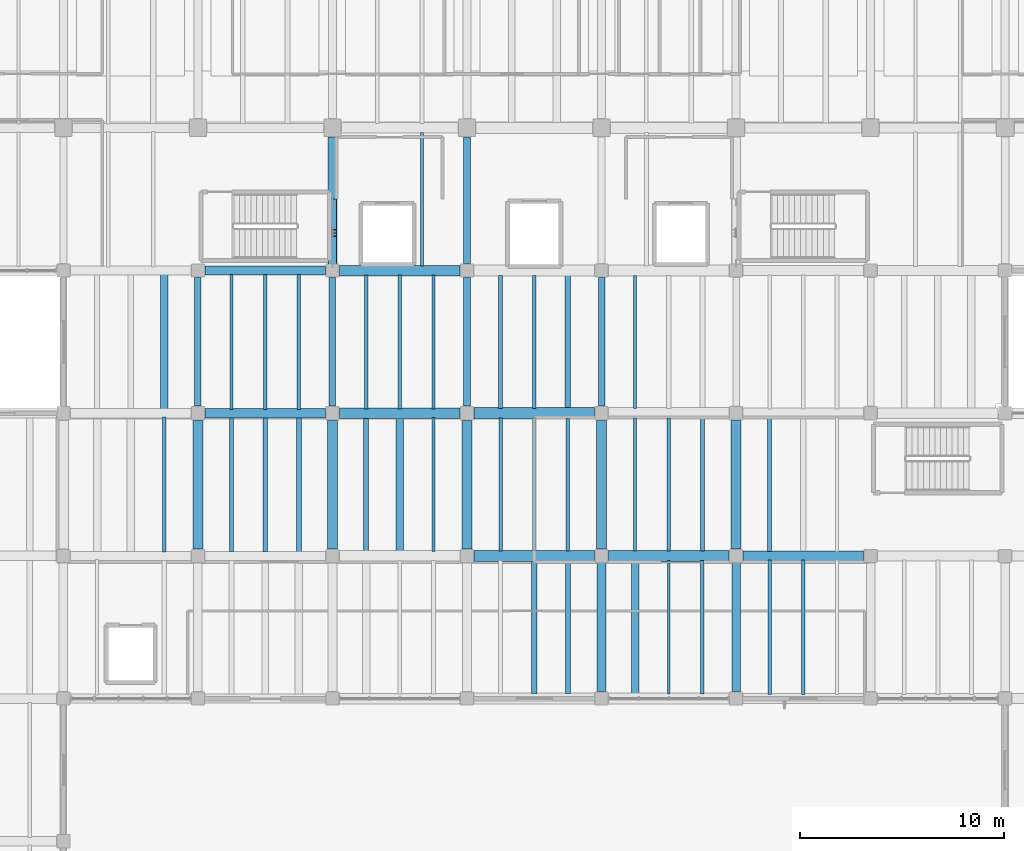
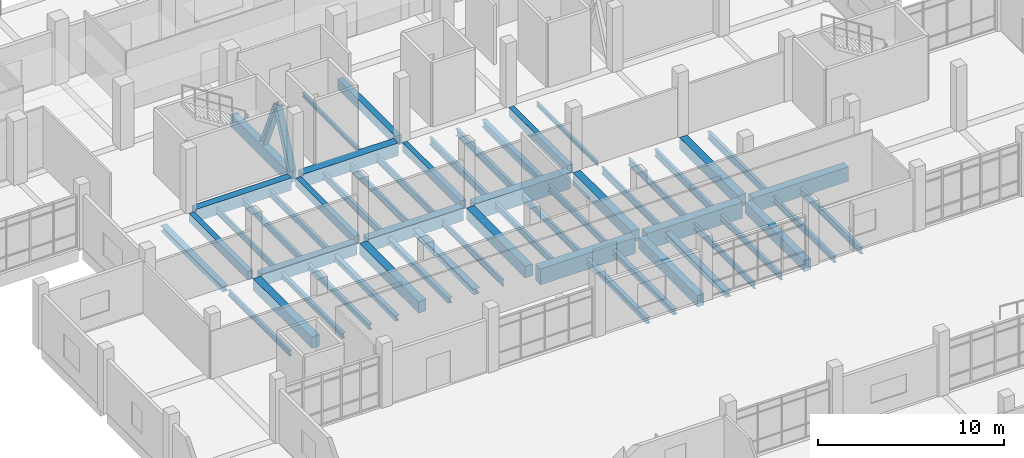
# One storey, part 25 of 69: 54 beams, 2 members.
"""IFC4 building model written with IfcOpenShell, lengths in metres."""

from ifc_helpers import new_model, si_unit, direction, frame, origin, origin_2d, place, context, subcontext, project, spatial, rectangle, i_section, extrude, material, material_profile, profile_set, type_object, element, save


model = new_model("IFC4")

# Units and contexts
model_context = context("Model", 3, precision=1e-05, world=origin(), true_north=direction((0.0, 1.0)))
body_context = subcontext(model_context, "Body", "Model", "MODEL_VIEW")
ifc_project = project(units=[si_unit("LENGTHUNIT", "METRE"), si_unit("AREAUNIT", "SQUARE_METRE"), si_unit("VOLUMEUNIT", "CUBIC_METRE"), si_unit("PLANEANGLEUNIT", "RADIAN"), si_unit("MASSUNIT", "GRAM", prefix="KILO")], contexts=[model_context])

# Site, building, storey
site_placement = place(None, origin())
site = spatial("IfcSite", under=ifc_project, at=site_placement, CompositionType="ELEMENT")
building_placement = place(site_placement, origin())
building = spatial("IfcBuilding", under=site, at=building_placement, Name="Ciguamira Faculty of Natural Sciences", CompositionType="ELEMENT")
storey_placement = place(building_placement, origin())
storey = spatial("IfcBuildingStorey", under=building, at=storey_placement, Name="L00", CompositionType="ELEMENT", Elevation=0.0)

# Beams
ifc_material_1 = material(Name="Concrete C40/50", Category="concrete")
ifc_material_profile_1 = material_profile(ifc_material_1, rectangle(XDim=0.550048828125, YDim=1.050048828125, at=origin_2d()), Name="RC-BM-550X1050")
ifc_profile_set_1 = profile_set([ifc_material_profile_1], Name="Concrete C40/50")
beam_type_1 = type_object("IfcBeamType", Name="RCBeam_BG-01_RC-BM-550X1050", PredefinedType="BEAM", material=ifc_profile_set_1)
beam_1_placement = place(storey_placement, frame((84.050048828125, 80.0, -0.52490234375), z_axis=(1.0, 0.0, 0.0), x_axis=(0.0, 1.0, 0.0)))
element("IfcBeam", 1, at=beam_1_placement, inside=storey, type_object=beam_type_1, Name="L00 RC girder EW-0142", PredefinedType="BEAM", context=body_context, shape_type="SweptSolid", body=[
    extrude(rectangle(XDim=0.550048828125, YDim=1.050048828125, at=origin_2d()), origin(), (0.0, 0.0, 1.0), 5.89990234375),
])
beam_2_placement = place(storey_placement, frame((90.64990234375, 80.0, -0.52490234375), z_axis=(1.0, 0.0, 0.0), x_axis=(0.0, 1.0, 0.0)))
element("IfcBeam", 2, at=beam_2_placement, inside=storey, type_object=beam_type_1, Name="L00 RC girder EW-0143", PredefinedType="BEAM", context=body_context, shape_type="SweptSolid", body=[
    extrude(rectangle(XDim=0.550048828125, YDim=1.050048828125, at=origin_2d()), origin(), (0.0, 0.0, 1.0), 5.900146484375),
])
beam_3_placement = place(storey_placement, frame((84.050048828125, 87.0, -0.52490234375), z_axis=(1.0, 0.0, 0.0), x_axis=(0.0, 1.0, 0.0)))
element("IfcBeam", 3, at=beam_3_placement, inside=storey, type_object=beam_type_1, Name="L00 RC girder EW-0151", PredefinedType="BEAM", context=body_context, shape_type="SweptSolid", body=[
    extrude(rectangle(XDim=0.550048828125, YDim=1.050048828125, at=origin_2d()), origin(), (0.0, 0.0, 1.0), 5.89990234375),
])
ifc_material_profile_2 = material_profile(ifc_material_1, rectangle(XDim=0.5, YDim=0.949951171875, at=origin_2d()), Name="RC-BM-500X950")
ifc_profile_set_2 = profile_set([ifc_material_profile_2], Name="Concrete C40/50")
beam_type_2 = type_object("IfcBeamType", Name="RCBeam_BG-02_RC-BM-500X950", PredefinedType="BEAM", material=ifc_profile_set_2)
beam_4_placement = place(storey_placement, frame((97.25, 80.0, -0.47509765625), z_axis=(1.0, 0.0, 0.0), x_axis=(0.0, 1.0, 0.0)))
element("IfcBeam", 4, at=beam_4_placement, inside=storey, type_object=beam_type_2, Name="L00 RC girder EW-0144", PredefinedType="BEAM", context=body_context, shape_type="SweptSolid", body=[
    extrude(rectangle(XDim=0.5, YDim=0.949951171875, at=origin_2d()), origin(), (0.0, 0.0, 1.0), 5.89990234375),
])
ifc_material_profile_3 = material_profile(ifc_material_1, rectangle(XDim=0.449951171875, YDim=0.800048828125, at=origin_2d()), Name="RC-BM-450X800")
ifc_profile_set_3 = profile_set([ifc_material_profile_3], Name="Concrete C40/50")
beam_type_3 = type_object("IfcBeamType", Name="RCBeam_BG-05_RC-BM-450X800", PredefinedType="BEAM", material=ifc_profile_set_3)
for number, where, z_axis, x_axis, name in (
    (5, (70.85009765625, 87.0, -0.39990234375), (1.0, 0.0, 0.0), (0.0, 1.0, 0.0), "L00 RC girder EW-0149"),
    (6, (70.85009765625, 94.0, -0.39990234375), (1.0, 0.0, 0.0), (0.0, 1.0, 0.0), "L00 RC girder EW-0158"),
):
    element("IfcBeam", number, at=place(storey_placement, frame(where, z_axis=z_axis, x_axis=x_axis)), inside=storey, type_object=beam_type_3, Name=name, PredefinedType="BEAM", context=body_context, shape_type="SweptSolid", body=[
        extrude(rectangle(XDim=0.449951171875, YDim=0.800048828125, at=origin_2d()), origin(), (0.0, 0.0, 1.0), 5.89990234375),
    ])
ifc_material_profile_4 = material_profile(ifc_material_1, rectangle(XDim=0.43994140625, YDim=0.780029296875, at=origin_2d()), Name="RC-BM-440X780")
ifc_profile_set_4 = profile_set([ifc_material_profile_4], Name="Concrete C40/50")
beam_type_4 = type_object("IfcBeamType", Name="RCBeam_BG-06_RC-BM-440X780", PredefinedType="BEAM", material=ifc_profile_set_4)
beam_5_placement = place(storey_placement, frame((77.10009765625, 94.35009765625, -0.389892578125), z_axis=(0.0, 1.0, 0.0), x_axis=(-1.0, 0.0, 0.0)))
element("IfcBeam", 7, at=beam_5_placement, inside=storey, type_object=beam_type_4, Name="L00 core-end brace tie girder 77", PredefinedType="BEAM", context=body_context, shape_type="SweptSolid", body=[
    extrude(rectangle(XDim=0.43994140625, YDim=0.780029296875, at=origin_2d()), origin(), (0.0, 0.0, 1.0), 6.199951171875),
])
ifc_material_profile_5 = material_profile(ifc_material_1, rectangle(XDim=0.419921875, YDim=0.739990234375, at=origin_2d()), Name="RC-BM-420X740")
ifc_profile_set_5 = profile_set([ifc_material_profile_5], Name="Concrete C40/50")
beam_type_5 = type_object("IfcBeamType", Name="RCBeam_BG-07_RC-BM-420X740", PredefinedType="BEAM", material=ifc_profile_set_5)
for number, where, z_axis, x_axis, name in (
    (8, (90.300048828125, 73.35009765625, -0.3701171875), (0.0, 1.0, 0.0), (-1.0, 0.0, 0.0), "L00 girder NS-0283"),
    (9, (96.89990234375, 73.35009765625, -0.3701171875), (0.0, 1.0, 0.0), (-1.0, 0.0, 0.0), "L00 girder NS-0295"),
):
    element("IfcBeam", number, at=place(storey_placement, frame(where, z_axis=z_axis, x_axis=x_axis)), inside=storey, type_object=beam_type_5, Name=name, PredefinedType="BEAM", context=body_context, shape_type="SweptSolid", body=[
        extrude(rectangle(XDim=0.419921875, YDim=0.739990234375, at=origin_2d()), origin(), (0.0, 0.0, 1.0), 6.2998046875),
    ])
ifc_material_profile_6 = material_profile(ifc_material_1, rectangle(XDim=0.360107421875, YDim=0.639892578125, at=origin_2d()), Name="RC-BM-360X640")
ifc_profile_set_6 = profile_set([ifc_material_profile_6], Name="Concrete C40/50")
beam_type_6 = type_object("IfcBeamType", Name="RCBeam_BG-10_RC-BM-360X640", PredefinedType="BEAM", material=ifc_profile_set_6)
beam_6_placement = place(storey_placement, frame((83.699951171875, 94.35009765625, -0.320068359375), z_axis=(0.0, 1.0, 0.0), x_axis=(-1.0, 0.0, 0.0)))
element("IfcBeam", 10, at=beam_6_placement, inside=storey, type_object=beam_type_6, Name="L00 girder NS-0274", PredefinedType="BEAM", context=body_context, shape_type="SweptSolid", body=[
    extrude(rectangle(XDim=0.360107421875, YDim=0.639892578125, at=origin_2d()), origin(), (0.0, 0.0, 1.0), 6.199951171875),
])
ifc_material_profile_7 = material_profile(ifc_material_1, rectangle(XDim=0.320068359375, YDim=0.56005859375, at=origin_2d()), Name="RC-BM-320X560")
ifc_profile_set_7 = profile_set([ifc_material_profile_7], Name="Concrete C40/50")
beam_type_7 = type_object("IfcBeamType", Name="RCBeam_BG-12_RC-BM-320X560", PredefinedType="BEAM", material=ifc_profile_set_7)
for number, where, z_axis, x_axis, name in (
    (11, (70.5, 87.35009765625, -0.280029296875), (0.0, 1.0, 0.0), (-1.0, 0.0, 0.0), "L00 girder NS-0251"),
    (12, (77.10009765625, 87.35009765625, -0.280029296875), (0.0, 1.0, 0.0), (-1.0, 0.0, 0.0), "L00 girder NS-0262"),
    (13, (83.699951171875, 87.35009765625, -0.280029296875), (0.0, 1.0, 0.0), (-1.0, 0.0, 0.0), "L00 girder NS-0273"),
    (14, (90.300048828125, 87.35009765625, -0.280029296875), (0.0, 1.0, 0.0), (-1.0, 0.0, 0.0), "L00 girder NS-0285"),
):
    element("IfcBeam", number, at=place(storey_placement, frame(where, z_axis=z_axis, x_axis=x_axis)), inside=storey, type_object=beam_type_7, Name=name, PredefinedType="BEAM", context=body_context, shape_type="SweptSolid", body=[
        extrude(rectangle(XDim=0.320068359375, YDim=0.56005859375, at=origin_2d()), origin(), (0.0, 0.0, 1.0), 6.2998046875),
    ])
ifc_material_profile_8 = material_profile(ifc_material_1, rectangle(XDim=0.47998046875, YDim=0.760009765625, at=origin_2d()), Name="RC-TB-480X760")
ifc_profile_set_8 = profile_set([ifc_material_profile_8], Name="Concrete C40/50")
beam_type_8 = type_object("IfcBeamType", Name="RCBeam_TB-01_RC-TB-480X760", PredefinedType="T_BEAM", material=ifc_profile_set_8)
for number, where, z_axis, x_axis, name in (
    (15, (70.5, 80.35009765625, -0.3798828125), (0.0, 1.0, 0.0), (-1.0, 0.0, 0.0), "L00 girder NS-0250"),
    (16, (77.10009765625, 80.35009765625, -0.3798828125), (0.0, 1.0, 0.0), (-1.0, 0.0, 0.0), "L00 girder NS-0261"),
    (17, (83.699951171875, 80.35009765625, -0.3798828125), (0.0, 1.0, 0.0), (-1.0, 0.0, 0.0), "L00 girder NS-0272"),
    (18, (90.300048828125, 80.35009765625, -0.3798828125), (0.0, 1.0, 0.0), (-1.0, 0.0, 0.0), "L00 girder NS-0284"),
    (19, (96.89990234375, 80.35009765625, -0.3798828125), (0.0, 1.0, 0.0), (-1.0, 0.0, 0.0), "L00 girder NS-0296"),
):
    element("IfcBeam", number, at=place(storey_placement, frame(where, z_axis=z_axis, x_axis=x_axis)), inside=storey, type_object=beam_type_8, Name=name, PredefinedType="T_BEAM", context=body_context, shape_type="SweptSolid", body=[
        extrude(rectangle(XDim=0.47998046875, YDim=0.760009765625, at=origin_2d()), origin(), (0.0, 0.0, 1.0), 6.2998046875),
    ])
ifc_material_profile_9 = material_profile(ifc_material_1, rectangle(XDim=0.52001953125, YDim=0.840087890625, at=origin_2d()), Name="RC-TB-520X840")
ifc_profile_set_9 = profile_set([ifc_material_profile_9], Name="Concrete C40/50")
beam_type_9 = type_object("IfcBeamType", Name="RCBeam_TB-02_RC-TB-520X840", PredefinedType="T_BEAM", material=ifc_profile_set_9)
for number, where, z_axis, x_axis, name in (
    (20, (77.449951171875, 87.0, -0.419921875), (1.0, 0.0, 0.0), (0.0, 1.0, 0.0), "L00 RC girder EW-0150"),
    (21, (77.449951171875, 94.0, -0.419921875), (1.0, 0.0, 0.0), (0.0, 1.0, 0.0), "L00 RC girder EW-0159"),
):
    element("IfcBeam", number, at=place(storey_placement, frame(where, z_axis=z_axis, x_axis=x_axis)), inside=storey, type_object=beam_type_9, Name=name, PredefinedType="T_BEAM", context=body_context, shape_type="SweptSolid", body=[
        extrude(rectangle(XDim=0.52001953125, YDim=0.840087890625, at=origin_2d()), origin(), (0.0, 0.0, 1.0), 5.900146484375),
    ])
ifc_material_2 = material(Name="Steel ASTM A992 Grade 50", Category="steel")
ifc_material_profile_10 = material_profile(ifc_material_2, i_section(OverallWidth=0.14599609375, OverallDepth=0.259033203125, WebThickness=0.006103515625, FlangeThickness=0.009033203125, at=origin_2d()), Name="W10X22")
ifc_profile_set_10 = profile_set([ifc_material_profile_10], Name="Steel ASTM A992 Grade 50")
beam_type_10 = type_object("IfcBeamType", Name="SteelJoist_SJ-01_W10X22", PredefinedType="JOIST", material=ifc_profile_set_10)
beam_7_placement = place(storey_placement, frame((81.5, 94.219970703125, -0.429443359375), z_axis=(0.0, 1.0, 0.0), x_axis=(-1.0, 0.0, 0.0)))
element("IfcBeam", 22, at=beam_7_placement, inside=storey, type_object=beam_type_10, Name="L00 composite steel joist 00167", PredefinedType="JOIST", context=body_context, shape_type="SweptSolid", body=[
    extrude(i_section(OverallWidth=0.14599609375, OverallDepth=0.259033203125, WebThickness=0.006103515625, FlangeThickness=0.009033203125, at=origin_2d()), origin(), (0.0, 0.0, 1.0), 6.56005859375),
])
beam_8_placement = place(storey_placement, frame((91.949951171875, 87.235107421875, -0.429443359375), z_axis=(0.0, 1.0, 0.0), x_axis=(-1.0, 0.0, 0.0)))
element("IfcBeam", 23, at=beam_8_placement, inside=storey, type_object=beam_type_10, Name="L00 composite steel joist 00215", PredefinedType="JOIST", context=body_context, shape_type="SweptSolid", body=[
    extrude(i_section(OverallWidth=0.14599609375, OverallDepth=0.259033203125, WebThickness=0.006103515625, FlangeThickness=0.009033203125, at=origin_2d()), origin(), (0.0, 0.0, 1.0), 6.52978515625),
])
ifc_material_profile_11 = material_profile(ifc_material_2, i_section(OverallWidth=0.1708984375, OverallDepth=0.3505859375, WebThickness=0.0068359375, FlangeThickness=0.009765625, at=origin_2d()), Name="W14X30")
ifc_profile_set_11 = profile_set([ifc_material_profile_11], Name="Steel ASTM A992 Grade 50")
beam_type_11 = type_object("IfcBeamType", Name="SteelJoist_SJ-11_W14X30", PredefinedType="JOIST", material=ifc_profile_set_11)
beam_9_placement = place(storey_placement, frame((68.85009765625, 80.18505859375, -0.475341796875), z_axis=(0.0, 1.0, 0.0), x_axis=(-1.0, 0.0, 0.0)))
element("IfcBeam", 24, at=beam_9_placement, inside=storey, type_object=beam_type_11, Name="L00 composite steel joist 00111", PredefinedType="JOIST", context=body_context, shape_type="SweptSolid", body=[
    extrude(i_section(OverallWidth=0.1708984375, OverallDepth=0.3505859375, WebThickness=0.0068359375, FlangeThickness=0.009765625, at=origin_2d()), origin(), (0.0, 0.0, 1.0), 6.6298828125),
])
ifc_material_profile_12 = material_profile(ifc_material_2, i_section(OverallWidth=0.203125, OverallDepth=0.347900390625, WebThickness=0.0078125, FlangeThickness=0.013427734375, at=origin_2d()), Name="W14X43")
ifc_profile_set_12 = profile_set([ifc_material_profile_12], Name="Steel ASTM A992 Grade 50")
beam_type_12 = type_object("IfcBeamType", Name="SteelJoist_SJ-12_W14X43", PredefinedType="JOIST", material=ifc_profile_set_12)
beam_10_placement = place(storey_placement, frame((72.14990234375, 80.18505859375, -0.47412109375), z_axis=(0.0, 1.0, 0.0), x_axis=(-1.0, 0.0, 0.0)))
element("IfcBeam", 25, at=beam_10_placement, inside=storey, type_object=beam_type_12, Name="L00 composite steel joist 00136", PredefinedType="JOIST", context=body_context, shape_type="SweptSolid", body=[
    extrude(i_section(OverallWidth=0.203125, OverallDepth=0.347900390625, WebThickness=0.0078125, FlangeThickness=0.013427734375, at=origin_2d()), origin(), (0.0, 0.0, 1.0), 6.6298828125),
])
ifc_material_profile_13 = material_profile(ifc_material_2, i_section(OverallWidth=0.204833984375, OverallDepth=0.35302734375, WebThickness=0.00927734375, FlangeThickness=0.016845703125, at=origin_2d()), Name="W14X53")
ifc_profile_set_13 = profile_set([ifc_material_profile_13], Name="Steel ASTM A992 Grade 50")
beam_type_13 = type_object("IfcBeamType", Name="SteelJoist_SJ-13_W14X53", PredefinedType="JOIST", material=ifc_profile_set_13)
beam_11_placement = place(storey_placement, frame((73.800048828125, 80.18505859375, -0.4765625), z_axis=(0.0, 1.0, 0.0), x_axis=(-1.0, 0.0, 0.0)))
element("IfcBeam", 26, at=beam_11_placement, inside=storey, type_object=beam_type_13, Name="L00 composite steel joist 00137", PredefinedType="JOIST", context=body_context, shape_type="SweptSolid", body=[
    extrude(i_section(OverallWidth=0.204833984375, OverallDepth=0.35302734375, WebThickness=0.00927734375, FlangeThickness=0.016845703125, at=origin_2d()), origin(), (0.0, 0.0, 1.0), 6.6298828125),
])
ifc_material_profile_14 = material_profile(ifc_material_2, i_section(OverallWidth=0.25390625, OverallDepth=0.355712890625, WebThickness=0.010498046875, FlangeThickness=0.018310546875, at=origin_2d()), Name="W14X68")
ifc_profile_set_14 = profile_set([ifc_material_profile_14], Name="Steel ASTM A992 Grade 50")
beam_type_14 = type_object("IfcBeamType", Name="SteelJoist_SJ-14_W14X68", PredefinedType="JOIST", material=ifc_profile_set_14)
beam_12_placement = place(storey_placement, frame((75.449951171875, 80.18505859375, -0.477783203125), z_axis=(0.0, 1.0, 0.0), x_axis=(-1.0, 0.0, 0.0)))
element("IfcBeam", 27, at=beam_12_placement, inside=storey, type_object=beam_type_14, Name="L00 composite steel joist 00138", PredefinedType="JOIST", context=body_context, shape_type="SweptSolid", body=[
    extrude(i_section(OverallWidth=0.25390625, OverallDepth=0.355712890625, WebThickness=0.010498046875, FlangeThickness=0.018310546875, at=origin_2d()), origin(), (0.0, 0.0, 1.0), 6.6298828125),
])
beam_13_placement = place(storey_placement, frame((87.0, 73.235107421875, -0.477783203125), z_axis=(0.0, 1.0, 0.0), x_axis=(-1.0, 0.0, 0.0)))
element("IfcBeam", 28, at=beam_13_placement, inside=storey, type_object=beam_type_14, Name="L00 composite steel joist 00185", PredefinedType="JOIST", context=body_context, shape_type="SweptSolid", body=[
    extrude(i_section(OverallWidth=0.25390625, OverallDepth=0.355712890625, WebThickness=0.010498046875, FlangeThickness=0.018310546875, at=origin_2d()), origin(), (0.0, 0.0, 1.0), 6.52978515625),
])
ifc_material_profile_15 = material_profile(ifc_material_2, i_section(OverallWidth=0.256591796875, OverallDepth=0.36328125, WebThickness=0.012939453125, FlangeThickness=0.021728515625, at=origin_2d()), Name="W14X82")
ifc_profile_set_15 = profile_set([ifc_material_profile_15], Name="Steel ASTM A992 Grade 50")
beam_type_15 = type_object("IfcBeamType", Name="SteelJoist_SJ-15_W14X82", PredefinedType="JOIST", material=ifc_profile_set_15)
beam_14_placement = place(storey_placement, frame((78.75, 80.219970703125, -0.481689453125), z_axis=(0.0, 1.0, 0.0), x_axis=(-1.0, 0.0, 0.0)))
element("IfcBeam", 29, at=beam_14_placement, inside=storey, type_object=beam_type_15, Name="L00 composite steel joist 00161", PredefinedType="JOIST", context=body_context, shape_type="SweptSolid", body=[
    extrude(i_section(OverallWidth=0.256591796875, OverallDepth=0.36328125, WebThickness=0.012939453125, FlangeThickness=0.021728515625, at=origin_2d()), origin(), (0.0, 0.0, 1.0), 6.56005859375),
])
beam_15_placement = place(storey_placement, frame((88.64990234375, 73.235107421875, -0.481689453125), z_axis=(0.0, 1.0, 0.0), x_axis=(-1.0, 0.0, 0.0)))
element("IfcBeam", 30, at=beam_15_placement, inside=storey, type_object=beam_type_15, Name="L00 composite steel joist 00186", PredefinedType="JOIST", context=body_context, shape_type="SweptSolid", body=[
    extrude(i_section(OverallWidth=0.256591796875, OverallDepth=0.36328125, WebThickness=0.012939453125, FlangeThickness=0.021728515625, at=origin_2d()), origin(), (0.0, 0.0, 1.0), 6.52978515625),
])
ifc_material_profile_16 = material_profile(ifc_material_2, i_section(OverallWidth=0.368408203125, OverallDepth=0.355712890625, WebThickness=0.01123046875, FlangeThickness=0.01806640625, at=origin_2d()), Name="W14X90")
ifc_profile_set_16 = profile_set([ifc_material_profile_16], Name="Steel ASTM A992 Grade 50")
beam_type_16 = type_object("IfcBeamType", Name="SteelJoist_SJ-16_W14X90", PredefinedType="JOIST", material=ifc_profile_set_16)
beam_16_placement = place(storey_placement, frame((68.85009765625, 87.18505859375, -0.477783203125), z_axis=(0.0, 1.0, 0.0), x_axis=(-1.0, 0.0, 0.0)))
element("IfcBeam", 31, at=beam_16_placement, inside=storey, type_object=beam_type_16, Name="L00 composite steel joist 00114", PredefinedType="JOIST", context=body_context, shape_type="SweptSolid", body=[
    extrude(i_section(OverallWidth=0.368408203125, OverallDepth=0.355712890625, WebThickness=0.01123046875, FlangeThickness=0.01806640625, at=origin_2d()), origin(), (0.0, 0.0, 1.0), 6.6298828125),
])
beam_17_placement = place(storey_placement, frame((80.39990234375, 80.219970703125, -0.477783203125), z_axis=(0.0, 1.0, 0.0), x_axis=(-1.0, 0.0, 0.0)))
element("IfcBeam", 32, at=beam_17_placement, inside=storey, type_object=beam_type_16, Name="L00 composite steel joist 00162", PredefinedType="JOIST", context=body_context, shape_type="SweptSolid", body=[
    extrude(i_section(OverallWidth=0.368408203125, OverallDepth=0.355712890625, WebThickness=0.01123046875, FlangeThickness=0.01806640625, at=origin_2d()), origin(), (0.0, 0.0, 1.0), 6.56005859375),
])
beam_18_placement = place(storey_placement, frame((91.949951171875, 73.235107421875, -0.477783203125), z_axis=(0.0, 1.0, 0.0), x_axis=(-1.0, 0.0, 0.0)))
element("IfcBeam", 33, at=beam_18_placement, inside=storey, type_object=beam_type_16, Name="L00 composite steel joist 00209", PredefinedType="JOIST", context=body_context, shape_type="SweptSolid", body=[
    extrude(i_section(OverallWidth=0.368408203125, OverallDepth=0.355712890625, WebThickness=0.01123046875, FlangeThickness=0.01806640625, at=origin_2d()), origin(), (0.0, 0.0, 1.0), 6.52978515625),
])
ifc_material_profile_17 = material_profile(ifc_material_2, i_section(OverallWidth=0.140380859375, OverallDepth=0.40380859375, WebThickness=0.007080078125, FlangeThickness=0.01123046875, at=origin_2d()), Name="W16X31")
ifc_profile_set_17 = profile_set([ifc_material_profile_17], Name="Steel ASTM A992 Grade 50")
beam_type_17 = type_object("IfcBeamType", Name="SteelJoist_SJ-17_W16X31", PredefinedType="JOIST", material=ifc_profile_set_17)
beam_19_placement = place(storey_placement, frame((72.14990234375, 87.18505859375, -0.501953125), z_axis=(0.0, 1.0, 0.0), x_axis=(-1.0, 0.0, 0.0)))
element("IfcBeam", 34, at=beam_19_placement, inside=storey, type_object=beam_type_17, Name="L00 composite steel joist 00139", PredefinedType="JOIST", context=body_context, shape_type="SweptSolid", body=[
    extrude(i_section(OverallWidth=0.140380859375, OverallDepth=0.40380859375, WebThickness=0.007080078125, FlangeThickness=0.01123046875, at=origin_2d()), origin(), (0.0, 0.0, 1.0), 6.6298828125),
])
beam_20_placement = place(storey_placement, frame((82.050048828125, 80.219970703125, -0.501953125), z_axis=(0.0, 1.0, 0.0), x_axis=(-1.0, 0.0, 0.0)))
element("IfcBeam", 35, at=beam_20_placement, inside=storey, type_object=beam_type_17, Name="L00 composite steel joist 00163", PredefinedType="JOIST", context=body_context, shape_type="SweptSolid", body=[
    extrude(i_section(OverallWidth=0.140380859375, OverallDepth=0.40380859375, WebThickness=0.007080078125, FlangeThickness=0.01123046875, at=origin_2d()), origin(), (0.0, 0.0, 1.0), 6.56005859375),
])
beam_21_placement = place(storey_placement, frame((93.60009765625, 73.235107421875, -0.501953125), z_axis=(0.0, 1.0, 0.0), x_axis=(-1.0, 0.0, 0.0)))
element("IfcBeam", 36, at=beam_21_placement, inside=storey, type_object=beam_type_17, Name="L00 composite steel joist 00210", PredefinedType="JOIST", context=body_context, shape_type="SweptSolid", body=[
    extrude(i_section(OverallWidth=0.140380859375, OverallDepth=0.40380859375, WebThickness=0.007080078125, FlangeThickness=0.01123046875, at=origin_2d()), origin(), (0.0, 0.0, 1.0), 6.52978515625),
])
ifc_material_profile_18 = material_profile(ifc_material_2, i_section(OverallWidth=0.177490234375, OverallDepth=0.40380859375, WebThickness=0.007568359375, FlangeThickness=0.010986328125, at=origin_2d()), Name="W16X36")
ifc_profile_set_18 = profile_set([ifc_material_profile_18], Name="Steel ASTM A992 Grade 50")
beam_type_18 = type_object("IfcBeamType", Name="SteelJoist_SJ-18_W16X36", PredefinedType="JOIST", material=ifc_profile_set_18)
beam_22_placement = place(storey_placement, frame((73.800048828125, 87.18505859375, -0.501953125), z_axis=(0.0, 1.0, 0.0), x_axis=(-1.0, 0.0, 0.0)))
element("IfcBeam", 37, at=beam_22_placement, inside=storey, type_object=beam_type_18, Name="L00 composite steel joist 00140", PredefinedType="JOIST", context=body_context, shape_type="SweptSolid", body=[
    extrude(i_section(OverallWidth=0.177490234375, OverallDepth=0.40380859375, WebThickness=0.007568359375, FlangeThickness=0.010986328125, at=origin_2d()), origin(), (0.0, 0.0, 1.0), 6.6298828125),
])
for number, where, z_axis, x_axis, name in (
    (38, (85.35009765625, 80.235107421875, -0.501953125), (0.0, 1.0, 0.0), (-1.0, 0.0, 0.0), "L00 composite steel joist 00187"),
    (39, (95.25, 73.235107421875, -0.501953125), (0.0, 1.0, 0.0), (-1.0, 0.0, 0.0), "L00 composite steel joist 00211"),
):
    element("IfcBeam", number, at=place(storey_placement, frame(where, z_axis=z_axis, x_axis=x_axis)), inside=storey, type_object=beam_type_18, Name=name, PredefinedType="JOIST", context=body_context, shape_type="SweptSolid", body=[
        extrude(i_section(OverallWidth=0.177490234375, OverallDepth=0.40380859375, WebThickness=0.007568359375, FlangeThickness=0.010986328125, at=origin_2d()), origin(), (0.0, 0.0, 1.0), 6.52978515625),
    ])
ifc_material_profile_19 = material_profile(ifc_material_2, i_section(OverallWidth=0.1787109375, OverallDepth=0.408935546875, WebThickness=0.0087890625, FlangeThickness=0.014404296875, at=origin_2d()), Name="W16X45")
ifc_profile_set_19 = profile_set([ifc_material_profile_19], Name="Steel ASTM A992 Grade 50")
beam_type_19 = type_object("IfcBeamType", Name="SteelJoist_SJ-19_W16X45", PredefinedType="JOIST", material=ifc_profile_set_19)
beam_23_placement = place(storey_placement, frame((75.449951171875, 87.18505859375, -0.50439453125), z_axis=(0.0, 1.0, 0.0), x_axis=(-1.0, 0.0, 0.0)))
element("IfcBeam", 40, at=beam_23_placement, inside=storey, type_object=beam_type_19, Name="L00 composite steel joist 00141", PredefinedType="JOIST", context=body_context, shape_type="SweptSolid", body=[
    extrude(i_section(OverallWidth=0.1787109375, OverallDepth=0.408935546875, WebThickness=0.0087890625, FlangeThickness=0.014404296875, at=origin_2d()), origin(), (0.0, 0.0, 1.0), 6.6298828125),
])
beam_24_placement = place(storey_placement, frame((87.0, 80.235107421875, -0.50439453125), z_axis=(0.0, 1.0, 0.0), x_axis=(-1.0, 0.0, 0.0)))
element("IfcBeam", 41, at=beam_24_placement, inside=storey, type_object=beam_type_19, Name="L00 composite steel joist 00188", PredefinedType="JOIST", context=body_context, shape_type="SweptSolid", body=[
    extrude(i_section(OverallWidth=0.1787109375, OverallDepth=0.408935546875, WebThickness=0.0087890625, FlangeThickness=0.014404296875, at=origin_2d()), origin(), (0.0, 0.0, 1.0), 6.52978515625),
])
beam_25_placement = place(storey_placement, frame((98.550048828125, 73.2099609375, -0.50439453125), z_axis=(0.0, 1.0, 0.0), x_axis=(-1.0, 0.0, 0.0)))
element("IfcBeam", 42, at=beam_25_placement, inside=storey, type_object=beam_type_19, Name="L00 composite steel joist 00235", PredefinedType="JOIST", context=body_context, shape_type="SweptSolid", body=[
    extrude(i_section(OverallWidth=0.1787109375, OverallDepth=0.408935546875, WebThickness=0.0087890625, FlangeThickness=0.014404296875, at=origin_2d()), origin(), (0.0, 0.0, 1.0), 6.580078125),
])
ifc_material_profile_20 = material_profile(ifc_material_2, i_section(OverallWidth=0.180908203125, OverallDepth=0.41650390625, WebThickness=0.010986328125, FlangeThickness=0.01806640625, at=origin_2d()), Name="W16X57")
ifc_profile_set_20 = profile_set([ifc_material_profile_20], Name="Steel ASTM A992 Grade 50")
beam_type_20 = type_object("IfcBeamType", Name="SteelJoist_SJ-20_W16X57", PredefinedType="JOIST", material=ifc_profile_set_20)
beam_26_placement = place(storey_placement, frame((78.75, 87.219970703125, -0.50830078125), z_axis=(0.0, 1.0, 0.0), x_axis=(-1.0, 0.0, 0.0)))
element("IfcBeam", 43, at=beam_26_placement, inside=storey, type_object=beam_type_20, Name="L00 composite steel joist 00164", PredefinedType="JOIST", context=body_context, shape_type="SweptSolid", body=[
    extrude(i_section(OverallWidth=0.180908203125, OverallDepth=0.41650390625, WebThickness=0.010986328125, FlangeThickness=0.01806640625, at=origin_2d()), origin(), (0.0, 0.0, 1.0), 6.56005859375),
])
beam_27_placement = place(storey_placement, frame((88.64990234375, 80.235107421875, -0.50830078125), z_axis=(0.0, 1.0, 0.0), x_axis=(-1.0, 0.0, 0.0)))
element("IfcBeam", 44, at=beam_27_placement, inside=storey, type_object=beam_type_20, Name="L00 composite steel joist 00189", PredefinedType="JOIST", context=body_context, shape_type="SweptSolid", body=[
    extrude(i_section(OverallWidth=0.180908203125, OverallDepth=0.41650390625, WebThickness=0.010986328125, FlangeThickness=0.01806640625, at=origin_2d()), origin(), (0.0, 0.0, 1.0), 6.52978515625),
])
beam_28_placement = place(storey_placement, frame((100.199951171875, 73.2099609375, -0.50830078125), z_axis=(0.0, 1.0, 0.0), x_axis=(-1.0, 0.0, 0.0)))
element("IfcBeam", 45, at=beam_28_placement, inside=storey, type_object=beam_type_20, Name="L00 composite steel joist 00236", PredefinedType="JOIST", context=body_context, shape_type="SweptSolid", body=[
    extrude(i_section(OverallWidth=0.180908203125, OverallDepth=0.41650390625, WebThickness=0.010986328125, FlangeThickness=0.01806640625, at=origin_2d()), origin(), (0.0, 0.0, 1.0), 6.580078125),
])
ifc_material_profile_21 = material_profile(ifc_material_2, i_section(OverallWidth=0.15234375, OverallDepth=0.449462890625, WebThickness=0.007568359375, FlangeThickness=0.0107421875, at=origin_2d()), Name="W18X35")
ifc_profile_set_21 = profile_set([ifc_material_profile_21], Name="Steel ASTM A992 Grade 50")
beam_type_21 = type_object("IfcBeamType", Name="SteelJoist_SJ-21_W18X35", PredefinedType="JOIST", material=ifc_profile_set_21)
beam_29_placement = place(storey_placement, frame((80.39990234375, 87.219970703125, -0.52490234375), z_axis=(0.0, 1.0, 0.0), x_axis=(-1.0, 0.0, 0.0)))
element("IfcBeam", 46, at=beam_29_placement, inside=storey, type_object=beam_type_21, Name="L00 composite steel joist 00165", PredefinedType="JOIST", context=body_context, shape_type="SweptSolid", body=[
    extrude(i_section(OverallWidth=0.15234375, OverallDepth=0.449462890625, WebThickness=0.007568359375, FlangeThickness=0.0107421875, at=origin_2d()), origin(), (0.0, 0.0, 1.0), 6.56005859375),
])
beam_30_placement = place(storey_placement, frame((91.949951171875, 80.235107421875, -0.52490234375), z_axis=(0.0, 1.0, 0.0), x_axis=(-1.0, 0.0, 0.0)))
element("IfcBeam", 47, at=beam_30_placement, inside=storey, type_object=beam_type_21, Name="L00 composite steel joist 00212", PredefinedType="JOIST", context=body_context, shape_type="SweptSolid", body=[
    extrude(i_section(OverallWidth=0.15234375, OverallDepth=0.449462890625, WebThickness=0.007568359375, FlangeThickness=0.0107421875, at=origin_2d()), origin(), (0.0, 0.0, 1.0), 6.52978515625),
])
ifc_material_profile_22 = material_profile(ifc_material_2, i_section(OverallWidth=0.15283203125, OverallDepth=0.45458984375, WebThickness=0.008056640625, FlangeThickness=0.013427734375, at=origin_2d()), Name="W18X40")
ifc_profile_set_22 = profile_set([ifc_material_profile_22], Name="Steel ASTM A992 Grade 50")
beam_type_22 = type_object("IfcBeamType", Name="SteelJoist_SJ-22_W18X40", PredefinedType="JOIST", material=ifc_profile_set_22)
beam_31_placement = place(storey_placement, frame((82.050048828125, 87.219970703125, -0.52734375), z_axis=(0.0, 1.0, 0.0), x_axis=(-1.0, 0.0, 0.0)))
element("IfcBeam", 48, at=beam_31_placement, inside=storey, type_object=beam_type_22, Name="L00 composite steel joist 00166", PredefinedType="JOIST", context=body_context, shape_type="SweptSolid", body=[
    extrude(i_section(OverallWidth=0.15283203125, OverallDepth=0.45458984375, WebThickness=0.008056640625, FlangeThickness=0.013427734375, at=origin_2d()), origin(), (0.0, 0.0, 1.0), 6.56005859375),
])
beam_32_placement = place(storey_placement, frame((93.60009765625, 80.235107421875, -0.52734375), z_axis=(0.0, 1.0, 0.0), x_axis=(-1.0, 0.0, 0.0)))
element("IfcBeam", 49, at=beam_32_placement, inside=storey, type_object=beam_type_22, Name="L00 composite steel joist 00213", PredefinedType="JOIST", context=body_context, shape_type="SweptSolid", body=[
    extrude(i_section(OverallWidth=0.15283203125, OverallDepth=0.45458984375, WebThickness=0.008056640625, FlangeThickness=0.013427734375, at=origin_2d()), origin(), (0.0, 0.0, 1.0), 6.52978515625),
])
ifc_material_profile_23 = material_profile(ifc_material_2, i_section(OverallWidth=0.1904296875, OverallDepth=0.457275390625, WebThickness=0.009033203125, FlangeThickness=0.014404296875, at=origin_2d()), Name="W18X50")
ifc_profile_set_23 = profile_set([ifc_material_profile_23], Name="Steel ASTM A992 Grade 50")
beam_type_23 = type_object("IfcBeamType", Name="SteelJoist_SJ-23_W18X50", PredefinedType="JOIST", material=ifc_profile_set_23)
for number, where, z_axis, x_axis, name in (
    (50, (85.35009765625, 87.235107421875, -0.528564453125), (0.0, 1.0, 0.0), (-1.0, 0.0, 0.0), "L00 composite steel joist 00190"),
    (51, (95.25, 80.235107421875, -0.528564453125), (0.0, 1.0, 0.0), (-1.0, 0.0, 0.0), "L00 composite steel joist 00214"),
):
    element("IfcBeam", number, at=place(storey_placement, frame(where, z_axis=z_axis, x_axis=x_axis)), inside=storey, type_object=beam_type_23, Name=name, PredefinedType="JOIST", context=body_context, shape_type="SweptSolid", body=[
        extrude(i_section(OverallWidth=0.1904296875, OverallDepth=0.457275390625, WebThickness=0.009033203125, FlangeThickness=0.014404296875, at=origin_2d()), origin(), (0.0, 0.0, 1.0), 6.52978515625),
    ])
ifc_material_profile_24 = material_profile(ifc_material_2, i_section(OverallWidth=0.19287109375, OverallDepth=0.46728515625, WebThickness=0.011474609375, FlangeThickness=0.01904296875, at=origin_2d()), Name="W18X65")
ifc_profile_set_24 = profile_set([ifc_material_profile_24], Name="Steel ASTM A992 Grade 50")
beam_type_24 = type_object("IfcBeamType", Name="SteelJoist_SJ-24_W18X65", PredefinedType="JOIST", material=ifc_profile_set_24)
beam_33_placement = place(storey_placement, frame((87.0, 87.235107421875, -0.53369140625), z_axis=(0.0, 1.0, 0.0), x_axis=(-1.0, 0.0, 0.0)))
element("IfcBeam", 52, at=beam_33_placement, inside=storey, type_object=beam_type_24, Name="L00 composite steel joist 00191", PredefinedType="JOIST", context=body_context, shape_type="SweptSolid", body=[
    extrude(i_section(OverallWidth=0.19287109375, OverallDepth=0.46728515625, WebThickness=0.011474609375, FlangeThickness=0.01904296875, at=origin_2d()), origin(), (0.0, 0.0, 1.0), 6.52978515625),
])
beam_34_placement = place(storey_placement, frame((98.550048828125, 80.2099609375, -0.53369140625), z_axis=(0.0, 1.0, 0.0), x_axis=(-1.0, 0.0, 0.0)))
element("IfcBeam", 53, at=beam_34_placement, inside=storey, type_object=beam_type_24, Name="L00 composite steel joist 00238", PredefinedType="JOIST", context=body_context, shape_type="SweptSolid", body=[
    extrude(i_section(OverallWidth=0.19287109375, OverallDepth=0.46728515625, WebThickness=0.011474609375, FlangeThickness=0.01904296875, at=origin_2d()), origin(), (0.0, 0.0, 1.0), 6.580078125),
])
ifc_material_profile_25 = material_profile(ifc_material_2, i_section(OverallWidth=0.279296875, OverallDepth=0.462158203125, WebThickness=0.0107421875, FlangeThickness=0.017333984375, at=origin_2d()), Name="W18X76")
ifc_profile_set_25 = profile_set([ifc_material_profile_25], Name="Steel ASTM A992 Grade 50")
beam_type_25 = type_object("IfcBeamType", Name="SteelJoist_SJ-25_W18X76", PredefinedType="JOIST", material=ifc_profile_set_25)
beam_35_placement = place(storey_placement, frame((88.64990234375, 87.235107421875, -0.531005859375), z_axis=(0.0, 1.0, 0.0), x_axis=(-1.0, 0.0, 0.0)))
element("IfcBeam", 54, at=beam_35_placement, inside=storey, type_object=beam_type_25, Name="L00 composite steel joist 00192", PredefinedType="JOIST", context=body_context, shape_type="SweptSolid", body=[
    extrude(i_section(OverallWidth=0.279296875, OverallDepth=0.462158203125, WebThickness=0.0107421875, FlangeThickness=0.017333984375, at=origin_2d()), origin(), (0.0, 0.0, 1.0), 6.52978515625),
])

# Members
ifc_material_profile_26 = material_profile(ifc_material_2, i_section(OverallWidth=0.370849609375, OverallDepth=0.36328125, WebThickness=0.013427734375, FlangeThickness=0.021728515625, at=origin_2d()), Name="W14X109")
ifc_profile_set_26 = profile_set([ifc_material_profile_26], Name="Steel ASTM A992 Grade 50")
member_type = type_object("IfcMemberType", Name="SteelMember_BR-02_W14X109", PredefinedType="BRACE", material=ifc_profile_set_26)
for number, where, z_axis, x_axis, name in (
    (55, (77.10009765625, 94.35009765625, 0.0), (0.0, 0.401669190317, 0.915784833653), (-1.0, 0.0, 0.0), "L00 lateral chevron brace 005"),
    (56, (77.10009765625, 97.35009765625, 0.0), (0.0, -0.401669190317, 0.915784833653), (1.0, 0.0, 0.0), "L00 lateral chevron brace 006"),
):
    element("IfcMember", number, at=place(storey_placement, frame(where, z_axis=z_axis, x_axis=x_axis)), inside=storey, type_object=member_type, Name=name, PredefinedType="BRACE", context=body_context, shape_type="SweptSolid", body=[
        extrude(i_section(OverallWidth=0.370849609375, OverallDepth=0.36328125, WebThickness=0.013427734375, FlangeThickness=0.021728515625, at=origin_2d()), origin(), (0.0, 0.0, 1.0), 3.734375),
    ])

save(model, "model.ifc")
